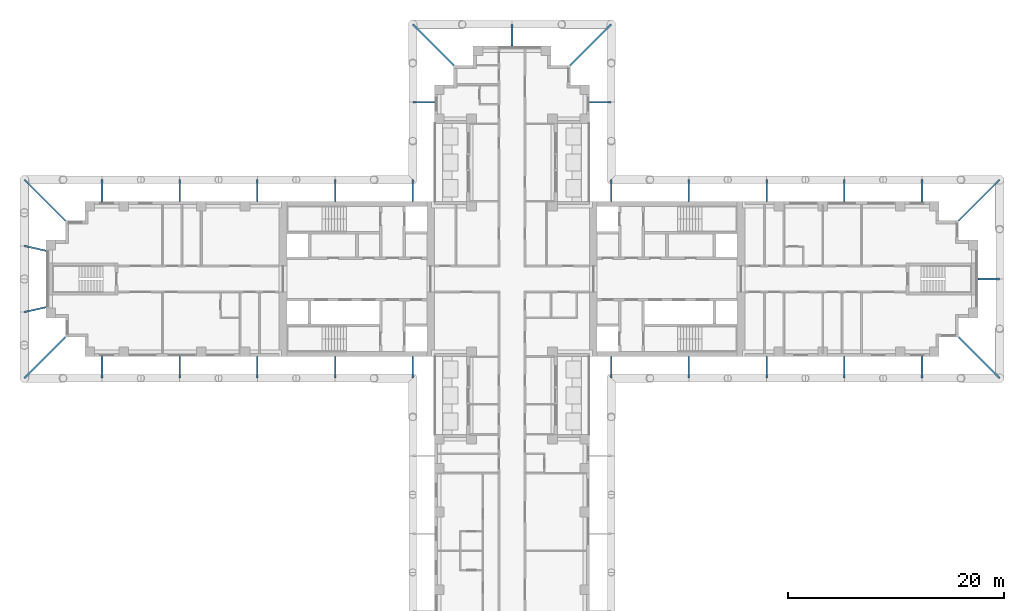
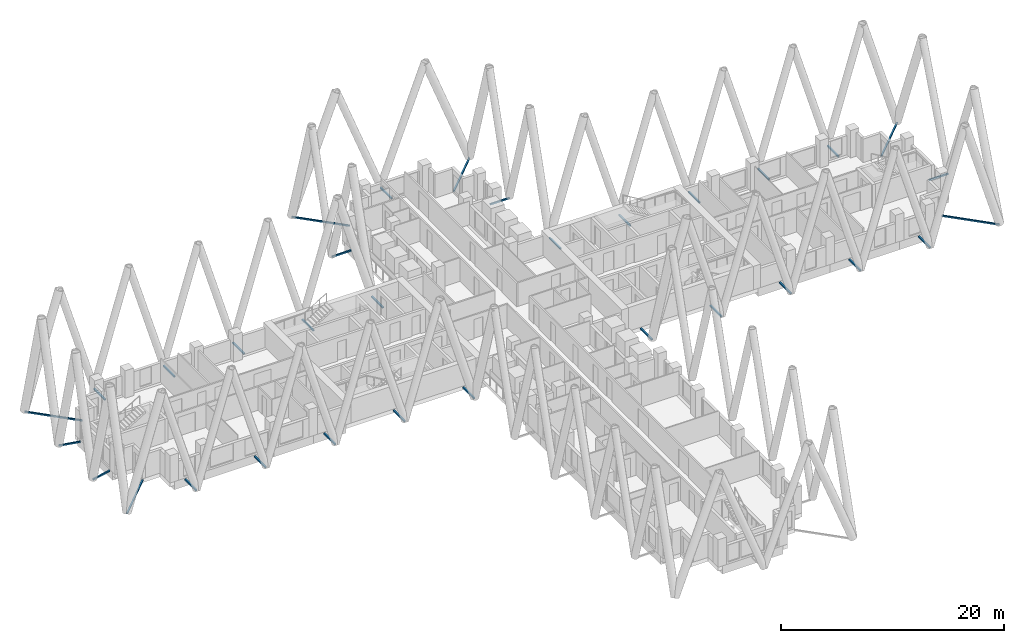
# One storey, part 12 of 14: 32 discrete accessories.
"""IFC4 building model written with IfcOpenShell, lengths in metres."""

from ifc_helpers import new_model, si_unit, direction, frame, origin, origin_2d, place, context, subcontext, project, spatial, hollow_rectangle, extrude, material, element, save


model = new_model("IFC4")

# Units and contexts
model_context = context("Model", 3, precision=1e-05, world=origin(), true_north=direction((0.0, 1.0)))
body_context = subcontext(model_context, "Body", "Model", "MODEL_VIEW")
ifc_project = project(units=[si_unit("LENGTHUNIT", "METRE"), si_unit("AREAUNIT", "SQUARE_METRE"), si_unit("VOLUMEUNIT", "CUBIC_METRE"), si_unit("PLANEANGLEUNIT", "RADIAN"), si_unit("MASSUNIT", "GRAM", prefix="KILO")], contexts=[model_context])

# Site, building, storey
site_placement = place(None, origin())
site = spatial("IfcSite", under=ifc_project, at=site_placement, CompositionType="ELEMENT")
building_placement = place(site_placement, origin())
building = spatial("IfcBuilding", under=site, at=building_placement, Name="Fustian Cross Tower", CompositionType="ELEMENT")
storey_placement = place(building_placement, frame((0.0, 0.0, 78.89990234375)))
storey = spatial("IfcBuildingStorey", under=building, at=storey_placement, Name="L24", CompositionType="ELEMENT", Elevation=78.89990234375)

# Discrete accessories
ifc_material = material(Name="Steel S355", Category="steel")
discrete_accessory_1_placement = place(storey_placement, frame((45.199951171875, 0.0, -0.14990234375), z_axis=(-1.0, 0.0, 0.0), x_axis=(0.0, -1.0, 0.0)))
element("IfcDiscreteAccessory", 1, at=discrete_accessory_1_placement, inside=storey, material=ifc_material, Name="Diagrid node bracket L24-01", PredefinedType="BRACKET", context=body_context, shape_type="SweptSolid", body=[
    extrude(hollow_rectangle(XDim=0.14990234375, YDim=0.14990234375, WallThickness=0.010009765625, at=origin_2d()), origin(), (0.0, 0.0, 1.0), 2.0),
])
discrete_accessory_2_placement = place(storey_placement, frame((45.199951171875, 9.199951171875, -0.14990234375), z_axis=(-0.707106781187, -0.707106781187, 0.0), x_axis=(0.707106781187, -0.707106781187, 0.0)))
element("IfcDiscreteAccessory", 2, at=discrete_accessory_2_placement, inside=storey, material=ifc_material, Name="Diagrid node bracket L24-02", PredefinedType="BRACKET", context=body_context, shape_type="SweptSolid", body=[
    extrude(hollow_rectangle(XDim=0.14990234375, YDim=0.14990234375, WallThickness=0.010009765625, at=origin_2d()), origin(), (0.0, 0.0, 1.0), 5.3740234375),
])
for number, where, z_axis, x_axis, name in (
    (3, (38.0, 9.199951171875, -0.14990234375), (0.0, -1.0, 0.0), (1.0, 0.0, 0.0), "Diagrid node bracket L24-03"),
    (4, (30.800048828125, 9.199951171875, -0.14990234375), (0.0, -1.0, 0.0), (1.0, 0.0, 0.0), "Diagrid node bracket L24-04"),
    (5, (23.60009765625, 9.199951171875, -0.14990234375), (0.0, -1.0, 0.0), (1.0, 0.0, 0.0), "Diagrid node bracket L24-05"),
    (6, (16.39990234375, 9.199951171875, -0.14990234375), (0.0, -1.0, 0.0), (1.0, 0.0, 0.0), "Diagrid node bracket L24-06"),
    (7, (9.199951171875, 9.199951171875, -0.14990234375), (0.0, -1.0, 0.0), (1.0, 0.0, 0.0), "Diagrid node bracket L24-07"),
    (8, (9.199951171875, 16.39990234375, -0.14990234375), (-1.0, 0.0, 0.0), (0.0, -1.0, 0.0), "Diagrid node bracket L24-08"),
):
    element("IfcDiscreteAccessory", number, at=place(storey_placement, frame(where, z_axis=z_axis, x_axis=x_axis)), inside=storey, material=ifc_material, Name=name, PredefinedType="BRACKET", context=body_context, shape_type="SweptSolid", body=[
        extrude(hollow_rectangle(XDim=0.14990234375, YDim=0.14990234375, WallThickness=0.010009765625, at=origin_2d()), origin(), (0.0, 0.0, 1.0), 2.0),
    ])
discrete_accessory_3_placement = place(storey_placement, frame((9.199951171875, 23.60009765625, -0.14990234375), z_axis=(-0.707106781187, -0.707106781187, 0.0), x_axis=(0.707106781187, -0.707106781187, 0.0)))
element("IfcDiscreteAccessory", 9, at=discrete_accessory_3_placement, inside=storey, material=ifc_material, Name="Diagrid node bracket L24-09", PredefinedType="BRACKET", context=body_context, shape_type="SweptSolid", body=[
    extrude(hollow_rectangle(XDim=0.14990234375, YDim=0.14990234375, WallThickness=0.010009765625, at=origin_2d()), origin(), (0.0, 0.0, 1.0), 5.3740234375),
])
discrete_accessory_4_placement = place(storey_placement, frame((0.0, 23.60009765625, -0.14990234375), z_axis=(0.0, -1.0, 0.0), x_axis=(1.0, 0.0, 0.0)))
element("IfcDiscreteAccessory", 10, at=discrete_accessory_4_placement, inside=storey, material=ifc_material, Name="Diagrid node bracket L24-10", PredefinedType="BRACKET", context=body_context, shape_type="SweptSolid", body=[
    extrude(hollow_rectangle(XDim=0.14990234375, YDim=0.14990234375, WallThickness=0.010009765625, at=origin_2d()), origin(), (0.0, 0.0, 1.0), 2.0),
])
discrete_accessory_5_placement = place(storey_placement, frame((-9.199951171875, 23.60009765625, -0.14990234375), z_axis=(0.707106781187, -0.707106781187, 0.0), x_axis=(0.707106781187, 0.707106781187, 0.0)))
element("IfcDiscreteAccessory", 11, at=discrete_accessory_5_placement, inside=storey, material=ifc_material, Name="Diagrid node bracket L24-11", PredefinedType="BRACKET", context=body_context, shape_type="SweptSolid", body=[
    extrude(hollow_rectangle(XDim=0.14990234375, YDim=0.14990234375, WallThickness=0.010009765625, at=origin_2d()), origin(), (0.0, 0.0, 1.0), 5.3740234375),
])
for number, where, z_axis, x_axis, name in (
    (12, (-9.199951171875, 16.39990234375, -0.14990234375), (1.0, 0.0, 0.0), (0.0, 1.0, 0.0), "Diagrid node bracket L24-12"),
    (13, (-9.199951171875, 9.199951171875, -0.14990234375), (0.0, -1.0, 0.0), (1.0, 0.0, 0.0), "Diagrid node bracket L24-13"),
    (14, (-16.39990234375, 9.199951171875, -0.14990234375), (0.0, -1.0, 0.0), (1.0, 0.0, 0.0), "Diagrid node bracket L24-14"),
    (15, (-23.60009765625, 9.199951171875, -0.14990234375), (0.0, -1.0, 0.0), (1.0, 0.0, 0.0), "Diagrid node bracket L24-15"),
    (16, (-30.800048828125, 9.199951171875, -0.14990234375), (0.0, -1.0, 0.0), (1.0, 0.0, 0.0), "Diagrid node bracket L24-16"),
    (17, (-38.0, 9.199951171875, -0.14990234375), (0.0, -1.0, 0.0), (1.0, 0.0, 0.0), "Diagrid node bracket L24-17"),
):
    element("IfcDiscreteAccessory", number, at=place(storey_placement, frame(where, z_axis=z_axis, x_axis=x_axis)), inside=storey, material=ifc_material, Name=name, PredefinedType="BRACKET", context=body_context, shape_type="SweptSolid", body=[
        extrude(hollow_rectangle(XDim=0.14990234375, YDim=0.14990234375, WallThickness=0.010009765625, at=origin_2d()), origin(), (0.0, 0.0, 1.0), 2.0),
    ])
discrete_accessory_6_placement = place(storey_placement, frame((-45.199951171875, 9.199951171875, -0.14990234375), z_axis=(0.707106781187, -0.707106781187, 0.0), x_axis=(0.707106781187, 0.707106781187, 0.0)))
element("IfcDiscreteAccessory", 18, at=discrete_accessory_6_placement, inside=storey, material=ifc_material, Name="Diagrid node bracket L24-18", PredefinedType="BRACKET", context=body_context, shape_type="SweptSolid", body=[
    extrude(hollow_rectangle(XDim=0.14990234375, YDim=0.14990234375, WallThickness=0.010009765625, at=origin_2d()), origin(), (0.0, 0.0, 1.0), 5.3740234375),
])
for number, where, z_axis, x_axis, name in (
    (19, (-45.199951171875, 3.066650390625, -0.14990234375), (0.97561485681, -0.21948952406, 0.0), (0.21948952406, 0.97561485681, 0.0), "Diagrid node bracket L24-19"),
    (20, (-45.199951171875, -3.066650390625, -0.14990234375), (0.97561485681, 0.21948952406, 0.0), (-0.21948952406, 0.97561485681, 0.0), "Diagrid node bracket L24-20"),
):
    element("IfcDiscreteAccessory", number, at=place(storey_placement, frame(where, z_axis=z_axis, x_axis=x_axis)), inside=storey, material=ifc_material, Name=name, PredefinedType="BRACKET", context=body_context, shape_type="SweptSolid", body=[
        extrude(hollow_rectangle(XDim=0.14990234375, YDim=0.14990234375, WallThickness=0.010009765625, at=origin_2d()), origin(), (0.0, 0.0, 1.0), 2.050048828125),
    ])
discrete_accessory_7_placement = place(storey_placement, frame((-45.199951171875, -9.199951171875, -0.14990234375), z_axis=(0.707106781187, 0.707106781187, 0.0), x_axis=(-0.707106781187, 0.707106781187, 0.0)))
element("IfcDiscreteAccessory", 21, at=discrete_accessory_7_placement, inside=storey, material=ifc_material, Name="Diagrid node bracket L24-21", PredefinedType="BRACKET", context=body_context, shape_type="SweptSolid", body=[
    extrude(hollow_rectangle(XDim=0.14990234375, YDim=0.14990234375, WallThickness=0.010009765625, at=origin_2d()), origin(), (0.0, 0.0, 1.0), 5.3740234375),
])
for number, where, z_axis, x_axis, name in (
    (22, (-38.0, -9.199951171875, -0.14990234375), (0.0, 1.0, 0.0), (-1.0, 0.0, 0.0), "Diagrid node bracket L24-22"),
    (23, (-30.800048828125, -9.199951171875, -0.14990234375), (0.0, 1.0, 0.0), (-1.0, 0.0, 0.0), "Diagrid node bracket L24-23"),
    (24, (-23.60009765625, -9.199951171875, -0.14990234375), (0.0, 1.0, 0.0), (-1.0, 0.0, 0.0), "Diagrid node bracket L24-24"),
    (25, (-16.39990234375, -9.199951171875, -0.14990234375), (0.0, 1.0, 0.0), (-1.0, 0.0, 0.0), "Diagrid node bracket L24-25"),
    (26, (-9.199951171875, -9.199951171875, -0.14990234375), (0.0, 1.0, 0.0), (-1.0, 0.0, 0.0), "Diagrid node bracket L24-26"),
    (27, (9.199951171875, -9.199951171875, -0.14990234375), (0.0, 1.0, 0.0), (-1.0, 0.0, 0.0), "Diagrid node bracket L24-38"),
    (28, (16.39990234375, -9.199951171875, -0.14990234375), (0.0, 1.0, 0.0), (-1.0, 0.0, 0.0), "Diagrid node bracket L24-39"),
    (29, (23.60009765625, -9.199951171875, -0.14990234375), (0.0, 1.0, 0.0), (-1.0, 0.0, 0.0), "Diagrid node bracket L24-40"),
    (30, (30.800048828125, -9.199951171875, -0.14990234375), (0.0, 1.0, 0.0), (-1.0, 0.0, 0.0), "Diagrid node bracket L24-41"),
    (31, (38.0, -9.199951171875, -0.14990234375), (0.0, 1.0, 0.0), (-1.0, 0.0, 0.0), "Diagrid node bracket L24-42"),
):
    element("IfcDiscreteAccessory", number, at=place(storey_placement, frame(where, z_axis=z_axis, x_axis=x_axis)), inside=storey, material=ifc_material, Name=name, PredefinedType="BRACKET", context=body_context, shape_type="SweptSolid", body=[
        extrude(hollow_rectangle(XDim=0.14990234375, YDim=0.14990234375, WallThickness=0.010009765625, at=origin_2d()), origin(), (0.0, 0.0, 1.0), 2.0),
    ])
discrete_accessory_8_placement = place(storey_placement, frame((45.199951171875, -9.199951171875, -0.14990234375), z_axis=(-0.707106781187, 0.707106781187, 0.0), x_axis=(-0.707106781187, -0.707106781187, 0.0)))
element("IfcDiscreteAccessory", 32, at=discrete_accessory_8_placement, inside=storey, material=ifc_material, Name="Diagrid node bracket L24-43", PredefinedType="BRACKET", context=body_context, shape_type="SweptSolid", body=[
    extrude(hollow_rectangle(XDim=0.14990234375, YDim=0.14990234375, WallThickness=0.010009765625, at=origin_2d()), origin(), (0.0, 0.0, 1.0), 5.3740234375),
])

save(model, "model.ifc")
